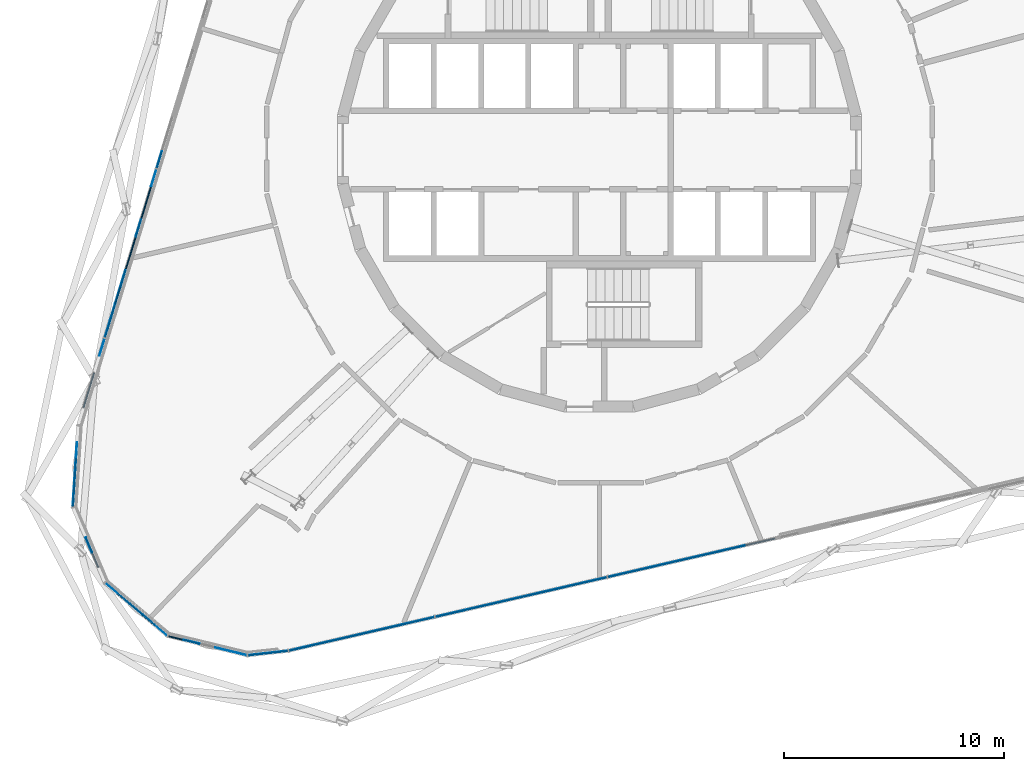
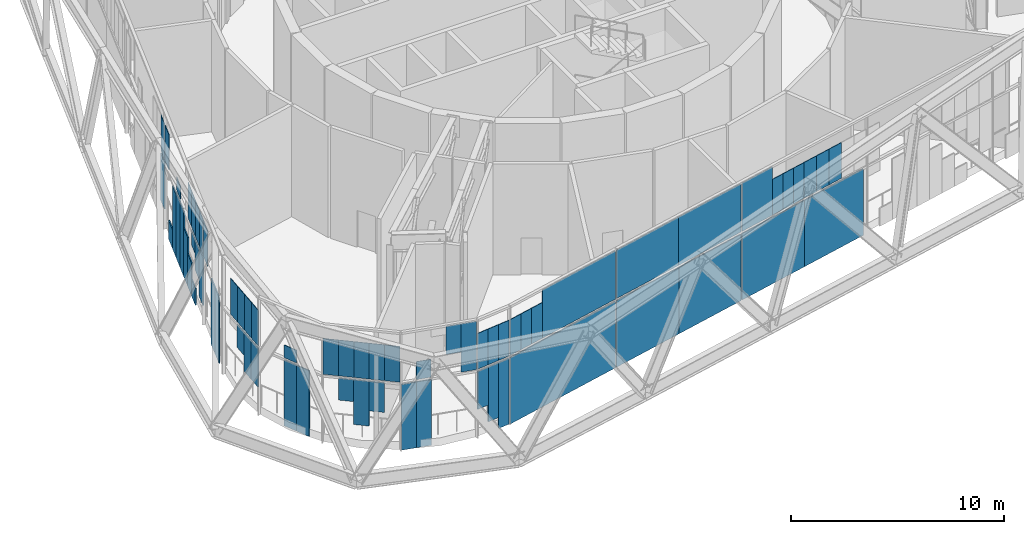
# One storey, part 10 of 25: 68 plates, 3 elements without a shape of their own.
"""IFC4 building model written with IfcOpenShell, lengths in metres."""

from ifc_helpers import new_model, si_unit, direction, frame, origin, origin_2d, place, context, subcontext, project, spatial, rectangle, extrude, material, layer, layer_set, type_object, element, aggregate, save


model = new_model("IFC4")

# Units and contexts
model_context = context("Model", 3, precision=1e-05, world=origin(), true_north=direction((0.0, 1.0)))
body_context = subcontext(model_context, "Body", "Model", "MODEL_VIEW")
ifc_project = project(units=[si_unit("LENGTHUNIT", "METRE"), si_unit("AREAUNIT", "SQUARE_METRE"), si_unit("VOLUMEUNIT", "CUBIC_METRE"), si_unit("PLANEANGLEUNIT", "RADIAN"), si_unit("MASSUNIT", "GRAM", prefix="KILO")], contexts=[model_context])

# Site, building, storey
site_placement = place(None, origin())
site = spatial("IfcSite", under=ifc_project, at=site_placement, CompositionType="ELEMENT")
building_placement = place(site_placement, origin())
building = spatial("IfcBuilding", under=site, at=building_placement, Name="Spindle Arch Residences", CompositionType="ELEMENT")
storey_placement = place(building_placement, frame((0.0, 0.0, 144.89990234375)))
storey = spatial("IfcBuildingStorey", under=building, at=storey_placement, Name="L36", CompositionType="ELEMENT", Elevation=144.89990234375)

# Curtain wall, plates
ifc_material_1 = material(Name="Aluminium bronze unitised frame with tinted glass", Category="aluminium")
ifc_layer_1 = layer(ifc_material_1, 0.159912109375)
ifc_layer_set_1 = layer_set([ifc_layer_1], Name="CW-E double-height winter garden wall")
curtain_wall_type = type_object("IfcCurtainWallType", Name="CW-E double-height winter garden wall", PredefinedType="NOTDEFINED", material=ifc_layer_set_1)
curtain_wall_1_placement = place(storey_placement, origin())
curtain_wall_1 = element("IfcCurtainWall", 1, at=curtain_wall_1_placement, inside=storey, type_object=curtain_wall_type, Name="CW-E L36 run 4", PredefinedType="NOTDEFINED")
ifc_material_2 = material(Name="Tinted laminated glass 28 mm", Category="glass")
ifc_layer_2 = layer(ifc_material_2, 0.028076171875)
ifc_layer_set_2 = layer_set([ifc_layer_2], Name="Tinted glass panel 28 mm")
plate_type_1 = type_object("IfcPlateType", Name="Tinted glass panel 28 mm", PredefinedType="CURTAIN_PANEL", material=ifc_layer_set_2)
plate_1_placement = place(storey_placement, frame((-19.972900390625, -0.4423828125, 3.460205078125), z_axis=(0.0, 0.0, 1.0), x_axis=(-0.292371704723, -0.956304755963, 0.0)))
plate_1 = element("IfcPlate", 2, at=plate_1_placement, type_object=plate_type_1, Name="CW-E panel 14Bb.3", PredefinedType="CURTAIN_PANEL", context=body_context, shape_type="SweptSolid", body=[
    extrude(rectangle(XDim=0.796875, YDim=0.028076171875, at=origin_2d()), origin(), (0.0, 0.0, 1.0), 2.0458984375),
])
plate_2_placement = place(storey_placement, frame((-20.223388671875, -1.26171875, 3.460205078125), z_axis=(0.0, 0.0, 1.0), x_axis=(-0.292371704723, -0.956304755963, 0.0)))
plate_2 = element("IfcPlate", 3, at=plate_2_placement, type_object=plate_type_1, Name="CW-E panel 15Ab.1", PredefinedType="CURTAIN_PANEL", context=body_context, shape_type="SweptSolid", body=[
    extrude(rectangle(XDim=0.796875, YDim=0.028076171875, at=origin_2d()), origin(), (0.0, 0.0, 1.0), 2.0458984375),
])
plate_3_placement = place(storey_placement, frame((-20.92236328125, -3.548095703125, 3.4599609375), z_axis=(0.0, 0.0, 1.0), x_axis=(-0.292371704723, -0.956304755963, 0.0)))
plate_3 = element("IfcPlate", 4, at=plate_3_placement, type_object=plate_type_1, Name="CW-E panel 15Ab.2", PredefinedType="CURTAIN_PANEL", context=body_context, shape_type="SweptSolid", body=[
    extrude(rectangle(XDim=0.796875, YDim=0.028076171875, at=origin_2d()), origin(), (0.0, 0.0, 1.0), 0.730712890625),
])
plate_4_placement = place(storey_placement, frame((-21.621337890625, -5.83447265625, 3.460205078125), z_axis=(0.0, 0.0, 1.0), x_axis=(-0.292371704723, -0.956304755963, 0.0)))
plate_4 = element("IfcPlate", 5, at=plate_4_placement, type_object=plate_type_1, Name="CW-E panel 15Bb.1", PredefinedType="CURTAIN_PANEL", context=body_context, shape_type="SweptSolid", body=[
    extrude(rectangle(XDim=0.796875, YDim=0.028076171875, at=origin_2d()), origin(), (0.0, 0.0, 1.0), 2.0458984375),
])
plate_5_placement = place(storey_placement, frame((-21.8544921875, -6.596435546875, 3.460205078125), z_axis=(0.0, 0.0, 1.0), x_axis=(-0.292371704723, -0.956304755963, 0.0)))
plate_5 = element("IfcPlate", 6, at=plate_5_placement, type_object=plate_type_1, Name="CW-E panel 15Bb.2", PredefinedType="CURTAIN_PANEL", context=body_context, shape_type="SweptSolid", body=[
    extrude(rectangle(XDim=0.796875, YDim=0.028076171875, at=origin_2d()), origin(), (0.0, 0.0, 1.0), 2.0458984375),
])
plate_6_placement = place(storey_placement, frame((-22.08740234375, -7.358642578125, 3.460205078125), z_axis=(0.0, 0.0, 1.0), x_axis=(-0.292371704723, -0.956304755963, 0.0)))
plate_6 = element("IfcPlate", 7, at=plate_6_placement, type_object=plate_type_1, Name="CW-E panel 15Bb.3", PredefinedType="CURTAIN_PANEL", context=body_context, shape_type="SweptSolid", body=[
    extrude(rectangle(XDim=0.796875, YDim=0.028076171875, at=origin_2d()), origin(), (0.0, 0.0, 1.0), 2.0458984375),
])
plate_7_placement = place(storey_placement, frame((-22.320556640625, -8.12060546875, 3.460205078125), z_axis=(0.0, 0.0, 1.0), x_axis=(-0.292371704723, -0.956304755963, 0.0)))
plate_7 = element("IfcPlate", 8, at=plate_7_placement, type_object=plate_type_1, Name="CW-E panel 15Bb.4", PredefinedType="CURTAIN_PANEL", context=body_context, shape_type="SweptSolid", body=[
    extrude(rectangle(XDim=0.796875, YDim=0.028076171875, at=origin_2d()), origin(), (0.0, 0.0, 1.0), 2.0458984375),
])

curtain_wall_2_placement = place(storey_placement, origin())
curtain_wall_2 = element("IfcCurtainWall", 9, at=curtain_wall_2_placement, inside=storey, type_object=curtain_wall_type, Name="CW-E L36 run 5", PredefinedType="NOTDEFINED")
plate_8_placement = place(storey_placement, frame((-22.573974609375, -8.949462890625, 3.460205078125), z_axis=(0.0, 0.0, 1.0), x_axis=(-0.292371704723, -0.956304755963, 0.0)))
plate_8 = element("IfcPlate", 10, at=plate_8_placement, type_object=plate_type_1, Name="CW-E panel 00b.1", PredefinedType="CURTAIN_PANEL", context=body_context, shape_type="SweptSolid", body=[
    extrude(rectangle(XDim=0.816650390625, YDim=0.028076171875, at=origin_2d()), origin(), (0.0, 0.0, 1.0), 2.0458984375),
])
plate_9_placement = place(storey_placement, frame((-23.7294921875, -13.62060546875, 3.460205078125), z_axis=(0.0, 0.0, 1.0), x_axis=(-0.063951729226, -0.997952993046, 0.0)))
plate_9 = element("IfcPlate", 11, at=plate_9_placement, type_object=plate_type_1, Name="CW-E panel 01b.1", PredefinedType="CURTAIN_PANEL", context=body_context, shape_type="SweptSolid", body=[
    extrude(rectangle(XDim=0.7333984375, YDim=0.028076171875, at=origin_2d()), origin(), (0.0, 0.0, 1.0), 2.0458984375),
])
plate_10_placement = place(storey_placement, frame((-23.7763671875, -14.352294921875, 3.460205078125), z_axis=(0.0, 0.0, 1.0), x_axis=(-0.063951729226, -0.997952993046, 0.0)))
plate_10 = element("IfcPlate", 12, at=plate_10_placement, type_object=plate_type_1, Name="CW-E panel 01b.2", PredefinedType="CURTAIN_PANEL", context=body_context, shape_type="SweptSolid", body=[
    extrude(rectangle(XDim=0.7333984375, YDim=0.028076171875, at=origin_2d()), origin(), (0.0, 0.0, 1.0), 2.0458984375),
])
plate_11_placement = place(storey_placement, frame((-23.8232421875, -15.084228515625, 3.460205078125), z_axis=(0.0, 0.0, 1.0), x_axis=(-0.063951729226, -0.997952993046, 0.0)))
plate_11 = element("IfcPlate", 13, at=plate_11_placement, type_object=plate_type_1, Name="CW-E panel 01b.3", PredefinedType="CURTAIN_PANEL", context=body_context, shape_type="SweptSolid", body=[
    extrude(rectangle(XDim=0.7333984375, YDim=0.028076171875, at=origin_2d()), origin(), (0.0, 0.0, 1.0), 2.0458984375),
])
plate_12_placement = place(storey_placement, frame((-23.8701171875, -15.816162109375, 3.460205078125), z_axis=(0.0, 0.0, 1.0), x_axis=(-0.063951729226, -0.997952993046, 0.0)))
plate_12 = element("IfcPlate", 14, at=plate_12_placement, type_object=plate_type_1, Name="CW-E panel 01b.4", PredefinedType="CURTAIN_PANEL", context=body_context, shape_type="SweptSolid", body=[
    extrude(rectangle(XDim=0.7333984375, YDim=0.028076171875, at=origin_2d()), origin(), (0.0, 0.0, 1.0), 2.0458984375),
])
plate_13_placement = place(storey_placement, frame((-23.16748046875, -17.92724609375, 3.4599609375), z_axis=(0.0, 0.0, 1.0), x_axis=(0.390731127124, -0.920504854032, 0.0)))
plate_13 = element("IfcPlate", 15, at=plate_13_placement, type_object=plate_type_1, Name="CW-E panel 02b.1", PredefinedType="CURTAIN_PANEL", context=body_context, shape_type="SweptSolid", body=[
    extrude(rectangle(XDim=0.7333984375, YDim=0.028076171875, at=origin_2d()), origin(), (0.0, 0.0, 1.0), 0.729248046875),
])
plate_14_placement = place(storey_placement, frame((-22.136962890625, -19.899169921875, 3.460205078125), z_axis=(0.0, 0.0, 1.0), x_axis=(0.762291912042, -0.647233374321, 0.0)))
plate_14 = element("IfcPlate", 16, at=plate_14_placement, type_object=plate_type_1, Name="CW-E panel 03b.1", PredefinedType="CURTAIN_PANEL", context=body_context, shape_type="SweptSolid", body=[
    extrude(rectangle(XDim=0.7333984375, YDim=0.028076171875, at=origin_2d()), origin(), (0.0, 0.0, 1.0), 2.0458984375),
])
plate_15_placement = place(storey_placement, frame((-21.577880859375, -20.373779296875, 3.460205078125), z_axis=(0.0, 0.0, 1.0), x_axis=(0.762291912042, -0.647233374321, 0.0)))
plate_15 = element("IfcPlate", 17, at=plate_15_placement, type_object=plate_type_1, Name="CW-E panel 03b.2", PredefinedType="CURTAIN_PANEL", context=body_context, shape_type="SweptSolid", body=[
    extrude(rectangle(XDim=0.7333984375, YDim=0.028076171875, at=origin_2d()), origin(), (0.0, 0.0, 1.0), 2.0458984375),
])
plate_16_placement = place(storey_placement, frame((-21.018798828125, -20.848388671875, 3.460205078125), z_axis=(0.0, 0.0, 1.0), x_axis=(0.762291912042, -0.647233374321, 0.0)))
plate_16 = element("IfcPlate", 18, at=plate_16_placement, type_object=plate_type_1, Name="CW-E panel 03b.3", PredefinedType="CURTAIN_PANEL", context=body_context, shape_type="SweptSolid", body=[
    extrude(rectangle(XDim=0.7333984375, YDim=0.028076171875, at=origin_2d()), origin(), (0.0, 0.0, 1.0), 2.0458984375),
])
plate_17_placement = place(storey_placement, frame((-20.4599609375, -21.322998046875, 3.460205078125), z_axis=(0.0, 0.0, 1.0), x_axis=(0.762291912042, -0.647233374321, 0.0)))
plate_17 = element("IfcPlate", 19, at=plate_17_placement, type_object=plate_type_1, Name="CW-E panel 03b.4", PredefinedType="CURTAIN_PANEL", context=body_context, shape_type="SweptSolid", body=[
    extrude(rectangle(XDim=0.7333984375, YDim=0.028076171875, at=origin_2d()), origin(), (0.0, 0.0, 1.0), 2.0458984375),
])
plate_18_placement = place(storey_placement, frame((-19.90087890625, -21.7978515625, 3.460205078125), z_axis=(0.0, 0.0, 1.0), x_axis=(0.762291912042, -0.647233374321, 0.0)))
plate_18 = element("IfcPlate", 20, at=plate_18_placement, type_object=plate_type_1, Name="CW-E panel 03b.5", PredefinedType="CURTAIN_PANEL", context=body_context, shape_type="SweptSolid", body=[
    extrude(rectangle(XDim=0.7333984375, YDim=0.028076171875, at=origin_2d()), origin(), (0.0, 0.0, 1.0), 2.0458984375),
])
plate_19_placement = place(storey_placement, frame((-18.506103515625, -22.320068359375, 3.4599609375), z_axis=(0.0, 0.0, 1.0), x_axis=(0.971686742139, -0.23627288281, 0.0)))
plate_19 = element("IfcPlate", 21, at=plate_19_placement, type_object=plate_type_1, Name="CW-E panel 04b.1", PredefinedType="CURTAIN_PANEL", context=body_context, shape_type="SweptSolid", body=[
    extrude(rectangle(XDim=0.7294921875, YDim=0.028076171875, at=origin_2d()), origin(), (0.0, 0.0, 1.0), 1.029052734375),
])
plate_20_placement = place(storey_placement, frame((-17.088623046875, -22.664794921875, 4.60888671875), z_axis=(0.0, 0.0, 1.0), x_axis=(0.971686742139, -0.23627288281, 0.0)))
plate_20 = element("IfcPlate", 22, at=plate_20_placement, type_object=plate_type_1, Name="CW-E panel 04b.3", PredefinedType="CURTAIN_PANEL", context=body_context, shape_type="SweptSolid", body=[
    extrude(rectangle(XDim=0.7294921875, YDim=0.028076171875, at=origin_2d()), origin(), (0.0, 0.0, 1.0), 1.62109375),
])
plate_21_placement = place(storey_placement, frame((-16.370361328125, -22.83935546875, 3.460205078125), z_axis=(0.0, 0.0, 1.0), x_axis=(0.971686742139, -0.23627288281, 0.0)))
plate_21 = element("IfcPlate", 23, at=plate_21_placement, type_object=plate_type_1, Name="CW-E panel 04b.4", PredefinedType="CURTAIN_PANEL", context=body_context, shape_type="SweptSolid", body=[
    extrude(rectangle(XDim=0.749267578125, YDim=0.028076171875, at=origin_2d()), origin(), (0.0, 0.0, 1.0), 2.77001953125),
])
plate_22_placement = place(storey_placement, frame((-15.646484375, -22.8984375, 3.460205078125), z_axis=(0.0, 0.0, 1.0), x_axis=(0.993896946542, 0.110312554381, 0.0)))
plate_22 = element("IfcPlate", 24, at=plate_22_placement, type_object=plate_type_1, Name="CW-E panel 05b.1", PredefinedType="CURTAIN_PANEL", context=body_context, shape_type="SweptSolid", body=[
    extrude(rectangle(XDim=0.60546875, YDim=0.028076171875, at=origin_2d()), origin(), (0.0, 0.0, 1.0), 2.0458984375),
])
plate_23_placement = place(storey_placement, frame((-15.044921875, -22.83154296875, 3.460205078125), z_axis=(0.0, 0.0, 1.0), x_axis=(0.993896946542, 0.110312554381, 0.0)))
plate_23 = element("IfcPlate", 25, at=plate_23_placement, type_object=plate_type_1, Name="CW-E panel 05b.2", PredefinedType="CURTAIN_PANEL", context=body_context, shape_type="SweptSolid", body=[
    extrude(rectangle(XDim=0.60546875, YDim=0.028076171875, at=origin_2d()), origin(), (0.0, 0.0, 1.0), 2.0458984375),
])
plate_24_placement = place(storey_placement, frame((-14.443359375, -22.7646484375, 3.460205078125), z_axis=(0.0, 0.0, 1.0), x_axis=(0.993896946542, 0.110312554381, 0.0)))
plate_24 = element("IfcPlate", 26, at=plate_24_placement, type_object=plate_type_1, Name="CW-E panel 05b.3", PredefinedType="CURTAIN_PANEL", context=body_context, shape_type="SweptSolid", body=[
    extrude(rectangle(XDim=0.60546875, YDim=0.028076171875, at=origin_2d()), origin(), (0.0, 0.0, 1.0), 2.0458984375),
])
plate_25_placement = place(storey_placement, frame((-13.746337890625, -22.6435546875, 3.460205078125), z_axis=(0.0, 0.0, 1.0), x_axis=(0.974370064785, 0.224951054344, 0.0)))
plate_25 = element("IfcPlate", 27, at=plate_25_placement, type_object=plate_type_1, Name="CW-E panel 06b.1", PredefinedType="CURTAIN_PANEL", context=body_context, shape_type="SweptSolid", body=[
    extrude(rectangle(XDim=0.69189453125, YDim=0.028076171875, at=origin_2d()), origin(), (0.0, 0.0, 1.0), 2.0458984375),
])
plate_26_placement = place(storey_placement, frame((-13.072021484375, -22.48779296875, 3.460205078125), z_axis=(0.0, 0.0, 1.0), x_axis=(0.974370064785, 0.224951054344, 0.0)))
plate_26 = element("IfcPlate", 28, at=plate_26_placement, type_object=plate_type_1, Name="CW-E panel 06b.2", PredefinedType="CURTAIN_PANEL", context=body_context, shape_type="SweptSolid", body=[
    extrude(rectangle(XDim=0.69189453125, YDim=0.028076171875, at=origin_2d()), origin(), (0.0, 0.0, 1.0), 2.0458984375),
])
plate_27_placement = place(storey_placement, frame((-12.397705078125, -22.332275390625, 3.460205078125), z_axis=(0.0, 0.0, 1.0), x_axis=(0.974370064785, 0.224951054344, 0.0)))
plate_27 = element("IfcPlate", 29, at=plate_27_placement, type_object=plate_type_1, Name="CW-E panel 06b.3", PredefinedType="CURTAIN_PANEL", context=body_context, shape_type="SweptSolid", body=[
    extrude(rectangle(XDim=0.69189453125, YDim=0.028076171875, at=origin_2d()), origin(), (0.0, 0.0, 1.0), 2.0458984375),
])
plate_28_placement = place(storey_placement, frame((-9.77880859375, -21.7275390625, 3.460205078125), z_axis=(0.0, 0.0, 1.0), x_axis=(0.974370064785, 0.224951054344, 0.0)))
plate_28 = element("IfcPlate", 30, at=plate_28_placement, type_object=plate_type_1, Name="CW-E panel 06b.4", PredefinedType="CURTAIN_PANEL", context=body_context, shape_type="SweptSolid", body=[
    extrude(rectangle(XDim=4.683837890625, YDim=0.028076171875, at=origin_2d()), origin(), (0.0, 0.0, 1.0), 2.77001953125),
])

curtain_wall_3_placement = place(storey_placement, origin())
curtain_wall_3 = element("IfcCurtainWall", 31, at=curtain_wall_3_placement, inside=storey, type_object=curtain_wall_type, Name="CW-E L36 run 6", PredefinedType="NOTDEFINED")
plate_29_placement = place(storey_placement, frame((-5.4970703125, -20.739013671875, 3.460205078125), z_axis=(0.0, 0.0, 1.0), x_axis=(0.974370064785, 0.224951054344, 0.0)))
plate_29 = element("IfcPlate", 32, at=plate_29_placement, type_object=plate_type_1, Name="CW-E unit 20Ab", PredefinedType="CURTAIN_PANEL", context=body_context, shape_type="SweptSolid", body=[
    extrude(rectangle(XDim=3.984619140625, YDim=0.028076171875, at=origin_2d()), origin(), (0.0, 0.0, 1.0), 2.77001953125),
])
plate_30_placement = place(storey_placement, frame((-1.61474609375, -19.8427734375, 3.460205078125), z_axis=(0.0, 0.0, 1.0), x_axis=(0.974370064785, 0.224951054344, 0.0)))
plate_30 = element("IfcPlate", 33, at=plate_30_placement, type_object=plate_type_1, Name="CW-E unit 20Bb", PredefinedType="CURTAIN_PANEL", context=body_context, shape_type="SweptSolid", body=[
    extrude(rectangle(XDim=3.984619140625, YDim=0.028076171875, at=origin_2d()), origin(), (0.0, 0.0, 1.0), 2.77001953125),
])
plate_31_placement = place(storey_placement, frame((1.348876953125, -19.158447265625, 3.460205078125), z_axis=(0.0, 0.0, 1.0), x_axis=(0.974370064785, 0.224951054344, 0.0)))
plate_31 = element("IfcPlate", 34, at=plate_31_placement, type_object=plate_type_1, Name="CW-E panel 21Ab.1", PredefinedType="CURTAIN_PANEL", context=body_context, shape_type="SweptSolid", body=[
    extrude(rectangle(XDim=1.978515625, YDim=0.028076171875, at=origin_2d()), origin(), (0.0, 0.0, 1.0), 2.77001953125),
])
plate_32_placement = place(storey_placement, frame((2.638671875, -18.86083984375, 3.460205078125), z_axis=(0.0, 0.0, 1.0), x_axis=(0.974370064785, 0.224951054344, 0.0)))
plate_32 = element("IfcPlate", 35, at=plate_32_placement, type_object=plate_type_1, Name="CW-E panel 21Ab.2", PredefinedType="CURTAIN_PANEL", context=body_context, shape_type="SweptSolid", body=[
    extrude(rectangle(XDim=0.668701171875, YDim=0.028076171875, at=origin_2d()), origin(), (0.0, 0.0, 1.0), 2.0458984375),
])
plate_33_placement = place(storey_placement, frame((3.290283203125, -18.710205078125, 3.460205078125), z_axis=(0.0, 0.0, 1.0), x_axis=(0.974370064785, 0.224951054344, 0.0)))
plate_33 = element("IfcPlate", 36, at=plate_33_placement, type_object=plate_type_1, Name="CW-E panel 21Ab.3", PredefinedType="CURTAIN_PANEL", context=body_context, shape_type="SweptSolid", body=[
    extrude(rectangle(XDim=0.668701171875, YDim=0.028076171875, at=origin_2d()), origin(), (0.0, 0.0, 1.0), 2.0458984375),
])
plate_34_placement = place(storey_placement, frame((3.941650390625, -18.559814453125, 3.460205078125), z_axis=(0.0, 0.0, 1.0), x_axis=(0.974370064785, 0.224951054344, 0.0)))
plate_34 = element("IfcPlate", 37, at=plate_34_placement, type_object=plate_type_1, Name="CW-E panel 21Ab.4", PredefinedType="CURTAIN_PANEL", context=body_context, shape_type="SweptSolid", body=[
    extrude(rectangle(XDim=0.668701171875, YDim=0.028076171875, at=origin_2d()), origin(), (0.0, 0.0, 1.0), 2.0458984375),
])
plate_35_placement = place(storey_placement, frame((4.65576171875, -18.39501953125, 3.460205078125), z_axis=(0.0, 0.0, 1.0), x_axis=(0.974370064785, 0.224951054344, 0.0)))
plate_35 = element("IfcPlate", 38, at=plate_35_placement, type_object=plate_type_1, Name="CW-E panel 21Bb.1", PredefinedType="CURTAIN_PANEL", context=body_context, shape_type="SweptSolid", body=[
    extrude(rectangle(XDim=0.796875, YDim=0.028076171875, at=origin_2d()), origin(), (0.0, 0.0, 1.0), 2.0458984375),
])
plate_36_placement = place(storey_placement, frame((5.432373046875, -18.2158203125, 3.460205078125), z_axis=(0.0, 0.0, 1.0), x_axis=(0.974370064785, 0.224951054344, 0.0)))
plate_36 = element("IfcPlate", 39, at=plate_36_placement, type_object=plate_type_1, Name="CW-E panel 21Bb.2", PredefinedType="CURTAIN_PANEL", context=body_context, shape_type="SweptSolid", body=[
    extrude(rectangle(XDim=0.796875, YDim=0.028076171875, at=origin_2d()), origin(), (0.0, 0.0, 1.0), 2.0458984375),
])
plate_37_placement = place(storey_placement, frame((6.208740234375, -18.03662109375, 3.460205078125), z_axis=(0.0, 0.0, 1.0), x_axis=(0.974370064785, 0.224951054344, 0.0)))
plate_37 = element("IfcPlate", 40, at=plate_37_placement, type_object=plate_type_1, Name="CW-E panel 21Bb.3", PredefinedType="CURTAIN_PANEL", context=body_context, shape_type="SweptSolid", body=[
    extrude(rectangle(XDim=0.796875, YDim=0.028076171875, at=origin_2d()), origin(), (0.0, 0.0, 1.0), 2.0458984375),
])

# Plate
ifc_material_3 = material(Name="Tinted double glazing over aluminium faced non-combustible spandrel zone (K0)", Category="aluminium")
ifc_layer_3 = layer(ifc_material_3, 0.06005859375)
ifc_layer_set_3 = layer_set([ifc_layer_3], Name="Unitised glass panel with E 60 spandrel zone")
plate_type_2 = type_object("IfcPlateType", Name="Unitised glass panel with E 60 spandrel zone", PredefinedType="CURTAIN_PANEL", material=ifc_layer_set_3)
plate_38_placement = place(storey_placement, frame((-19.975341796875, -0.449951171875, 0.6494140625), z_axis=(0.0, 0.0, 1.0), x_axis=(-0.292371704723, -0.956304755963, 0.0)))
plate_38 = element("IfcPlate", 41, at=plate_38_placement, type_object=plate_type_2, Name="CW-E panel 14Ba.7", PredefinedType="CURTAIN_PANEL", context=body_context, shape_type="SweptSolid", body=[
    extrude(rectangle(XDim=0.78076171875, YDim=0.06005859375, at=origin_2d()), origin(), (0.0, 0.0, 1.0), 2.690673828125),
])

plate_39_placement = place(storey_placement, frame((-20.45654296875, -2.02392578125, -0.449951171875), z_axis=(0.0, 0.0, 1.0), x_axis=(-0.292371704723, -0.956304755963, 0.0)))
plate_39 = element("IfcPlate", 42, at=plate_39_placement, type_object=plate_type_2, Name="CW-E panel 15Aa.2", PredefinedType="CURTAIN_PANEL", context=body_context, shape_type="SweptSolid", body=[
    extrude(rectangle(XDim=0.796875, YDim=0.06005859375, at=origin_2d()), origin(), (0.0, 0.0, 1.0), 1.07861328125),
])

plate_40_placement = place(storey_placement, frame((-20.689453125, -2.785888671875, -0.44970703125), z_axis=(0.0, 0.0, 1.0), x_axis=(-0.292371704723, -0.956304755963, 0.0)))
plate_40 = element("IfcPlate", 43, at=plate_40_placement, type_object=plate_type_2, Name="CW-E panel 15Aa.3", PredefinedType="CURTAIN_PANEL", context=body_context, shape_type="SweptSolid", body=[
    extrude(rectangle(XDim=0.796875, YDim=0.06005859375, at=origin_2d()), origin(), (0.0, 0.0, 1.0), 3.595947265625),
])

plate_41_placement = place(storey_placement, frame((-20.92236328125, -3.548095703125, -0.449951171875), z_axis=(0.0, 0.0, 1.0), x_axis=(-0.292371704723, -0.956304755963, 0.0)))
plate_41 = element("IfcPlate", 44, at=plate_41_placement, type_object=plate_type_2, Name="CW-E panel 15Aa.4", PredefinedType="CURTAIN_PANEL", context=body_context, shape_type="SweptSolid", body=[
    extrude(rectangle(XDim=0.796875, YDim=0.06005859375, at=origin_2d()), origin(), (0.0, 0.0, 1.0), 3.7900390625),
])

plate_42_placement = place(storey_placement, frame((-21.155517578125, -4.31005859375, -0.44970703125), z_axis=(0.0, 0.0, 1.0), x_axis=(-0.292371704723, -0.956304755963, 0.0)))
plate_42 = element("IfcPlate", 45, at=plate_42_placement, type_object=plate_type_2, Name="CW-E panel 15Aa.5", PredefinedType="CURTAIN_PANEL", context=body_context, shape_type="SweptSolid", body=[
    extrude(rectangle(XDim=0.796875, YDim=0.06005859375, at=origin_2d()), origin(), (0.0, 0.0, 1.0), 3.718505859375),
])

plate_43_placement = place(storey_placement, frame((-21.388427734375, -5.072265625, -0.449951171875), z_axis=(0.0, 0.0, 1.0), x_axis=(-0.292371704723, -0.956304755963, 0.0)))
plate_43 = element("IfcPlate", 46, at=plate_43_placement, type_object=plate_type_2, Name="CW-E panel 15Ba.1", PredefinedType="CURTAIN_PANEL", context=body_context, shape_type="SweptSolid", body=[
    extrude(rectangle(XDim=0.796875, YDim=0.06005859375, at=origin_2d()), origin(), (0.0, 0.0, 1.0), 2.79638671875),
])

plate_44_placement = place(storey_placement, frame((-21.621337890625, -5.83447265625, -0.44970703125), z_axis=(0.0, 0.0, 1.0), x_axis=(-0.292371704723, -0.956304755963, 0.0)))
plate_44 = element("IfcPlate", 47, at=plate_44_placement, type_object=plate_type_2, Name="CW-E panel 15Ba.2", PredefinedType="CURTAIN_PANEL", context=body_context, shape_type="SweptSolid", body=[
    extrude(rectangle(XDim=0.796875, YDim=0.06005859375, at=origin_2d()), origin(), (0.0, 0.0, 1.0), 1.874267578125),
])

plate_45_placement = place(storey_placement, frame((-21.8544921875, -6.596435546875, -0.449951171875), z_axis=(0.0, 0.0, 1.0), x_axis=(-0.292371704723, -0.956304755963, 0.0)))
plate_45 = element("IfcPlate", 48, at=plate_45_placement, type_object=plate_type_2, Name="CW-E panel 15Ba.3", PredefinedType="CURTAIN_PANEL", context=body_context, shape_type="SweptSolid", body=[
    extrude(rectangle(XDim=0.796875, YDim=0.06005859375, at=origin_2d()), origin(), (0.0, 0.0, 1.0), 0.9521484375),
])

plate_46_placement = place(storey_placement, frame((-21.8544921875, -6.596435546875, 2.46435546875), z_axis=(0.0, 0.0, 1.0), x_axis=(-0.292371704723, -0.956304755963, 0.0)))
plate_46 = element("IfcPlate", 49, at=plate_46_placement, type_object=plate_type_2, Name="CW-E panel 15Ba.4", PredefinedType="CURTAIN_PANEL", context=body_context, shape_type="SweptSolid", body=[
    extrude(rectangle(XDim=0.796875, YDim=0.06005859375, at=origin_2d()), origin(), (0.0, 0.0, 1.0), 0.875732421875),
])

plate_47_placement = place(storey_placement, frame((-22.08740234375, -7.358642578125, 1.5419921875), z_axis=(0.0, 0.0, 1.0), x_axis=(-0.292371704723, -0.956304755963, 0.0)))
plate_47 = element("IfcPlate", 50, at=plate_47_placement, type_object=plate_type_2, Name="CW-E panel 15Ba.5", PredefinedType="CURTAIN_PANEL", context=body_context, shape_type="SweptSolid", body=[
    extrude(rectangle(XDim=0.796875, YDim=0.06005859375, at=origin_2d()), origin(), (0.0, 0.0, 1.0), 1.798095703125),
])

plate_48_placement = place(storey_placement, frame((-22.320556640625, -8.12060546875, 0.619873046875), z_axis=(0.0, 0.0, 1.0), x_axis=(-0.292371704723, -0.956304755963, 0.0)))
plate_48 = element("IfcPlate", 51, at=plate_48_placement, type_object=plate_type_2, Name="CW-E panel 15Ba.6", PredefinedType="CURTAIN_PANEL", context=body_context, shape_type="SweptSolid", body=[
    extrude(rectangle(XDim=0.796875, YDim=0.06005859375, at=origin_2d()), origin(), (0.0, 0.0, 1.0), 2.72021484375),
])

aggregate(curtain_wall_1, [plate_38, plate_1, plate_39, plate_40, plate_41, plate_42, plate_2, plate_3, plate_43, plate_44, plate_45, plate_46, plate_47, plate_48, plate_4, plate_5, plate_6, plate_7])

plate_49_placement = place(storey_placement, frame((-23.051513671875, -10.511474609375, -0.419921875), z_axis=(0.0, 0.0, 1.0), x_axis=(-0.292371704723, -0.956304755963, 0.0)))
plate_49 = element("IfcPlate", 52, at=plate_49_placement, type_object=plate_type_2, Name="CW-E panel 00a.1", PredefinedType="CURTAIN_PANEL", context=body_context, shape_type="SweptSolid", body=[
    extrude(rectangle(XDim=0.816650390625, YDim=0.06005859375, at=origin_2d()), origin(), (0.0, 0.0, 1.0), 3.760009765625),
])

plate_50_placement = place(storey_placement, frame((-23.290283203125, -11.29248046875, -0.419921875), z_axis=(0.0, 0.0, 1.0), x_axis=(-0.292371704723, -0.956304755963, 0.0)))
plate_50 = element("IfcPlate", 53, at=plate_50_placement, type_object=plate_type_2, Name="CW-E panel 00a.2", PredefinedType="CURTAIN_PANEL", context=body_context, shape_type="SweptSolid", body=[
    extrude(rectangle(XDim=0.816650390625, YDim=0.06005859375, at=origin_2d()), origin(), (0.0, 0.0, 1.0), 3.760009765625),
])

plate_51_placement = place(storey_placement, frame((-23.7763671875, -14.352294921875, 2.018310546875), z_axis=(0.0, 0.0, 1.0), x_axis=(-0.063951729226, -0.997952993046, 0.0)))
plate_51 = element("IfcPlate", 54, at=plate_51_placement, type_object=plate_type_2, Name="CW-E panel 01a.2", PredefinedType="CURTAIN_PANEL", context=body_context, shape_type="SweptSolid", body=[
    extrude(rectangle(XDim=0.7333984375, YDim=0.06005859375, at=origin_2d()), origin(), (0.0, 0.0, 1.0), 1.32177734375),
])

plate_52_placement = place(storey_placement, frame((-23.8232421875, -15.084228515625, 1.114990234375), z_axis=(0.0, 0.0, 1.0), x_axis=(-0.063951729226, -0.997952993046, 0.0)))
plate_52 = element("IfcPlate", 55, at=plate_52_placement, type_object=plate_type_2, Name="CW-E panel 01a.3", PredefinedType="CURTAIN_PANEL", context=body_context, shape_type="SweptSolid", body=[
    extrude(rectangle(XDim=0.7333984375, YDim=0.06005859375, at=origin_2d()), origin(), (0.0, 0.0, 1.0), 2.22509765625),
])

plate_53_placement = place(storey_placement, frame((-23.8701171875, -15.816162109375, 1.12451171875), z_axis=(0.0, 0.0, 1.0), x_axis=(-0.063951729226, -0.997952993046, 0.0)))
plate_53 = element("IfcPlate", 56, at=plate_53_placement, type_object=plate_type_2, Name="CW-E panel 01a.4", PredefinedType="CURTAIN_PANEL", context=body_context, shape_type="SweptSolid", body=[
    extrude(rectangle(XDim=0.7333984375, YDim=0.06005859375, at=origin_2d()), origin(), (0.0, 0.0, 1.0), 2.215576171875),
])

plate_54_placement = place(storey_placement, frame((-23.16748046875, -17.92724609375, -0.419921875), z_axis=(0.0, 0.0, 1.0), x_axis=(0.390731127124, -0.920504854032, 0.0)))
plate_54 = element("IfcPlate", 57, at=plate_54_placement, type_object=plate_type_2, Name="CW-E panel 02a.1", PredefinedType="CURTAIN_PANEL", context=body_context, shape_type="SweptSolid", body=[
    extrude(rectangle(XDim=0.7333984375, YDim=0.06005859375, at=origin_2d()), origin(), (0.0, 0.0, 1.0), 3.760009765625),
])

plate_55_placement = place(storey_placement, frame((-22.880859375, -18.602294921875, -0.419921875), z_axis=(0.0, 0.0, 1.0), x_axis=(0.390731127124, -0.920504854032, 0.0)))
plate_55 = element("IfcPlate", 58, at=plate_55_placement, type_object=plate_type_2, Name="CW-E panel 02a.2", PredefinedType="CURTAIN_PANEL", context=body_context, shape_type="SweptSolid", body=[
    extrude(rectangle(XDim=0.7333984375, YDim=0.06005859375, at=origin_2d()), origin(), (0.0, 0.0, 1.0), 3.760009765625),
])

plate_56_placement = place(storey_placement, frame((-21.577880859375, -20.373779296875, 2.0859375), z_axis=(0.0, 0.0, 1.0), x_axis=(0.762291912042, -0.647233374321, 0.0)))
plate_56 = element("IfcPlate", 59, at=plate_56_placement, type_object=plate_type_2, Name="CW-E panel 03a.1", PredefinedType="CURTAIN_PANEL", context=body_context, shape_type="SweptSolid", body=[
    extrude(rectangle(XDim=0.7333984375, YDim=0.06005859375, at=origin_2d()), origin(), (0.0, 0.0, 1.0), 1.254150390625),
])

plate_57_placement = place(storey_placement, frame((-21.018798828125, -20.848388671875, 0.7802734375), z_axis=(0.0, 0.0, 1.0), x_axis=(0.762291912042, -0.647233374321, 0.0)))
plate_57 = element("IfcPlate", 60, at=plate_57_placement, type_object=plate_type_2, Name="CW-E panel 03a.2", PredefinedType="CURTAIN_PANEL", context=body_context, shape_type="SweptSolid", body=[
    extrude(rectangle(XDim=0.7333984375, YDim=0.06005859375, at=origin_2d()), origin(), (0.0, 0.0, 1.0), 2.559814453125),
])

plate_58_placement = place(storey_placement, frame((-20.4599609375, -21.322998046875, 1.65185546875), z_axis=(0.0, 0.0, 1.0), x_axis=(0.762291912042, -0.647233374321, 0.0)))
plate_58 = element("IfcPlate", 61, at=plate_58_placement, type_object=plate_type_2, Name="CW-E panel 03a.3", PredefinedType="CURTAIN_PANEL", context=body_context, shape_type="SweptSolid", body=[
    extrude(rectangle(XDim=0.7333984375, YDim=0.06005859375, at=origin_2d()), origin(), (0.0, 0.0, 1.0), 1.688232421875),
])

plate_59_placement = place(storey_placement, frame((-19.212890625, -22.148193359375, -0.419921875), z_axis=(0.0, 0.0, 1.0), x_axis=(0.971686742139, -0.23627288281, 0.0)))
plate_59 = element("IfcPlate", 62, at=plate_59_placement, type_object=plate_type_2, Name="CW-E panel 04a.1", PredefinedType="CURTAIN_PANEL", context=body_context, shape_type="SweptSolid", body=[
    extrude(rectangle(XDim=0.7333984375, YDim=0.06005859375, at=origin_2d()), origin(), (0.0, 0.0, 1.0), 3.760009765625),
])

plate_60_placement = place(storey_placement, frame((-18.50048828125, -22.321533203125, -0.419921875), z_axis=(0.0, 0.0, 1.0), x_axis=(0.971686742139, -0.23627288281, 0.0)))
plate_60 = element("IfcPlate", 63, at=plate_60_placement, type_object=plate_type_2, Name="CW-E panel 04a.2", PredefinedType="CURTAIN_PANEL", context=body_context, shape_type="SweptSolid", body=[
    extrude(rectangle(XDim=0.7333984375, YDim=0.06005859375, at=origin_2d()), origin(), (0.0, 0.0, 1.0), 3.760009765625),
])

plate_61_placement = place(storey_placement, frame((-15.646484375, -22.8984375, 1.174072265625), z_axis=(0.0, 0.0, 1.0), x_axis=(0.993896946542, 0.110312554381, 0.0)))
plate_61 = element("IfcPlate", 64, at=plate_61_placement, type_object=plate_type_2, Name="CW-E panel 05a.1", PredefinedType="CURTAIN_PANEL", context=body_context, shape_type="SweptSolid", body=[
    extrude(rectangle(XDim=0.60546875, YDim=0.06005859375, at=origin_2d()), origin(), (0.0, 0.0, 1.0), 2.166015625),
])

plate_62_placement = place(storey_placement, frame((-15.044921875, -22.83154296875, 0.2099609375), z_axis=(0.0, 0.0, 1.0), x_axis=(0.993896946542, 0.110312554381, 0.0)))
plate_62 = element("IfcPlate", 65, at=plate_62_placement, type_object=plate_type_2, Name="CW-E panel 05a.2", PredefinedType="CURTAIN_PANEL", context=body_context, shape_type="SweptSolid", body=[
    extrude(rectangle(XDim=0.60546875, YDim=0.06005859375, at=origin_2d()), origin(), (0.0, 0.0, 1.0), 3.130126953125),
])

plate_63_placement = place(storey_placement, frame((-14.443359375, -22.7646484375, -0.419921875), z_axis=(0.0, 0.0, 1.0), x_axis=(0.993896946542, 0.110312554381, 0.0)))
plate_63 = element("IfcPlate", 66, at=plate_63_placement, type_object=plate_type_2, Name="CW-E panel 05a.3", PredefinedType="CURTAIN_PANEL", context=body_context, shape_type="SweptSolid", body=[
    extrude(rectangle(XDim=0.60546875, YDim=0.06005859375, at=origin_2d()), origin(), (0.0, 0.0, 1.0), 3.760009765625),
])

plate_64_placement = place(storey_placement, frame((-10.7900390625, -21.9609375, -0.449951171875), z_axis=(0.0, 0.0, 1.0), x_axis=(0.974370064785, 0.224951054344, 0.0)))
plate_64 = element("IfcPlate", 67, at=plate_64_placement, type_object=plate_type_2, Name="CW-E unit 06a", PredefinedType="CURTAIN_PANEL", context=body_context, shape_type="SweptSolid", body=[
    extrude(rectangle(XDim=6.759765625, YDim=0.06005859375, at=origin_2d()), origin(), (0.0, 0.0, 1.0), 3.7900390625),
])

aggregate(curtain_wall_2, [plate_49, plate_50, plate_8, plate_51, plate_52, plate_53, plate_9, plate_10, plate_11, plate_12, plate_54, plate_55, plate_13, plate_56, plate_57, plate_58, plate_14, plate_15, plate_16, plate_17, plate_18, plate_59, plate_60, plate_19, plate_20, plate_21, plate_61, plate_62, plate_63, plate_22, plate_23, plate_24, plate_64, plate_25, plate_26, plate_27, plate_28])

plate_65_placement = place(storey_placement, frame((-5.4970703125, -20.739013671875, -0.449951171875), z_axis=(0.0, 0.0, 1.0), x_axis=(0.974370064785, 0.224951054344, 0.0)))
plate_65 = element("IfcPlate", 68, at=plate_65_placement, type_object=plate_type_2, Name="CW-E unit 20Aa", PredefinedType="CURTAIN_PANEL", context=body_context, shape_type="SweptSolid", body=[
    extrude(rectangle(XDim=3.984619140625, YDim=0.06005859375, at=origin_2d()), origin(), (0.0, 0.0, 1.0), 3.7900390625),
])

plate_66_placement = place(storey_placement, frame((-1.61474609375, -19.8427734375, -0.449951171875), z_axis=(0.0, 0.0, 1.0), x_axis=(0.974370064785, 0.224951054344, 0.0)))
plate_66 = element("IfcPlate", 69, at=plate_66_placement, type_object=plate_type_2, Name="CW-E unit 20Ba", PredefinedType="CURTAIN_PANEL", context=body_context, shape_type="SweptSolid", body=[
    extrude(rectangle(XDim=3.984619140625, YDim=0.06005859375, at=origin_2d()), origin(), (0.0, 0.0, 1.0), 3.7900390625),
])

plate_67_placement = place(storey_placement, frame((2.326416015625, -18.932861328125, -0.449951171875), z_axis=(0.0, 0.0, 1.0), x_axis=(0.974370064785, 0.224951054344, 0.0)))
plate_67 = element("IfcPlate", 70, at=plate_67_placement, type_object=plate_type_2, Name="CW-E unit 21Aa", PredefinedType="CURTAIN_PANEL", context=body_context, shape_type="SweptSolid", body=[
    extrude(rectangle(XDim=3.984619140625, YDim=0.06005859375, at=origin_2d()), origin(), (0.0, 0.0, 1.0), 3.7900390625),
])

plate_68_placement = place(storey_placement, frame((6.114013671875, -18.058349609375, -0.449951171875), z_axis=(0.0, 0.0, 1.0), x_axis=(0.974370064785, 0.224951054344, 0.0)))
plate_68 = element("IfcPlate", 71, at=plate_68_placement, type_object=plate_type_2, Name="CW-E panel 21Ba.1", PredefinedType="CURTAIN_PANEL", context=body_context, shape_type="SweptSolid", body=[
    extrude(rectangle(XDim=3.7900390625, YDim=0.06005859375, at=origin_2d()), origin(), (0.0, 0.0, 1.0), 3.7900390625),
])

aggregate(curtain_wall_3, [plate_65, plate_29, plate_66, plate_30, plate_67, plate_31, plate_32, plate_33, plate_34, plate_68, plate_35, plate_36, plate_37])

save(model, "model.ifc")
